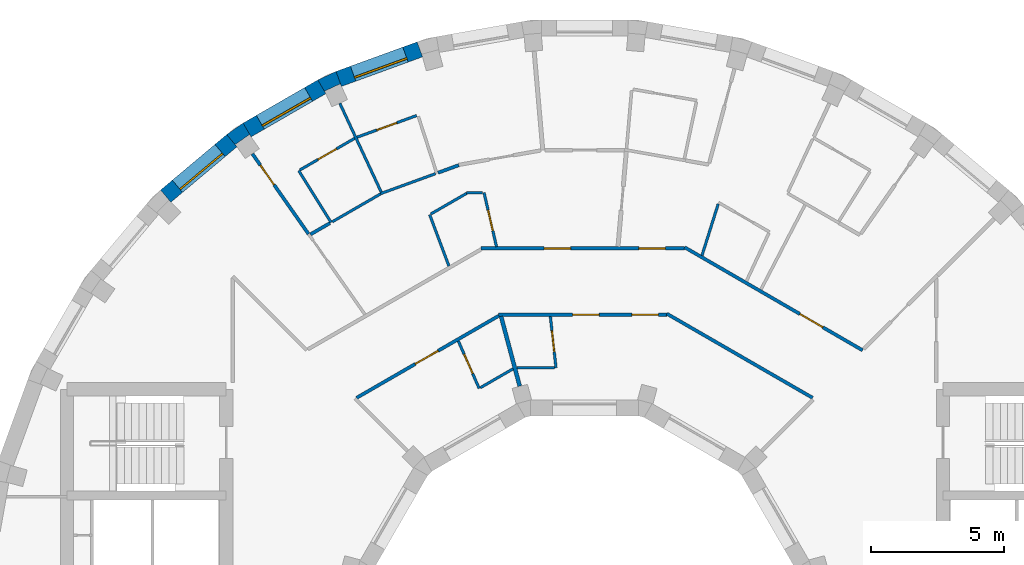
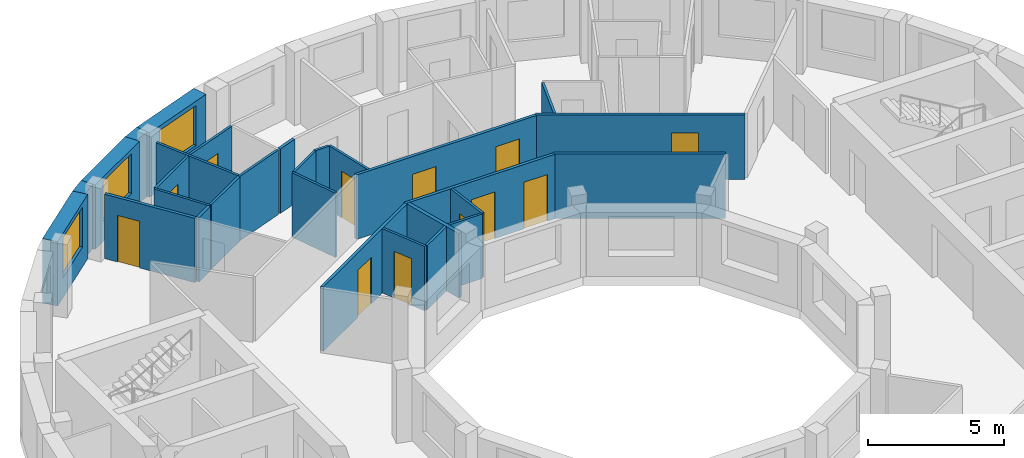
# One storey, part 9 of 12: 29 walls, 12 doors, 3 windows, 15 openings.
"""IFC4 building model written with IfcOpenShell, lengths in metres."""

from ifc_helpers import new_model, si_unit, direction, frame, frame_2d, origin, place, context, subcontext, project, spatial, polyline, rectangle, outline, extrude, material, layer, layer_set, type_object, element, fill, save


model = new_model("IFC4")

# Units and contexts
model_context = context("Model", 3, precision=1e-05, world=origin(), true_north=direction((0.0, 1.0)))
body_context = subcontext(model_context, "Body", "Model", "MODEL_VIEW")
ifc_project = project(units=[si_unit("LENGTHUNIT", "METRE"), si_unit("AREAUNIT", "SQUARE_METRE"), si_unit("VOLUMEUNIT", "CUBIC_METRE"), si_unit("PLANEANGLEUNIT", "RADIAN"), si_unit("MASSUNIT", "GRAM", prefix="KILO")], contexts=[model_context])

# Site, building, storey
site_placement = place(None, origin())
site = spatial("IfcSite", under=ifc_project, at=site_placement, CompositionType="ELEMENT")
building_placement = place(site_placement, origin())
building = spatial("IfcBuilding", under=site, at=building_placement, Name="Saqina Gate Tower", CompositionType="ELEMENT")
storey_placement = place(building_placement, frame((0.0, 0.0, 259.39990234375)))
storey = spatial("IfcBuildingStorey", under=building, at=storey_placement, Name="L74", CompositionType="ELEMENT", Elevation=259.39990234375)

# Walls
ifc_material_1 = material(Name="Brick masonry (buff)", Category="masonry")
wall_type_1 = type_object("IfcWallType", Name="BRICK PIER COPING BUFF", PredefinedType="SOLIDWALL", material=ifc_material_1)
wall_1_placement = place(storey_placement, origin())
element("IfcWall", 1, at=wall_1_placement, inside=storey, type_object=wall_type_1, Name="Pier cap L74 column 12", PredefinedType="SOLIDWALL", context=body_context, shape_type="SweptSolid", body=[
    extrude(outline(polyline([(-9.3642578125, 20.974609375), (-10.048095703125, 20.65576171875), (-9.748291015625, 20.135986328125), (-9.79296875, 20.23193359375), (-9.203857421875, 20.506591796875), (-9.1591796875, 20.410888671875), (-9.3642578125, 20.974609375)])), origin(), (0.0, 0.0, 1.0), 2.900146484375),
])
wall_2_placement = place(storey_placement, origin())
element("IfcWall", 2, at=wall_2_placement, inside=storey, type_object=wall_type_1, Name="Pier cap L74 column 13", PredefinedType="SOLIDWALL", context=body_context, shape_type="SweptSolid", body=[
    extrude(outline(polyline([(-12.8642578125, 19.02978515625), (-13.482421875, 18.59716796875), (-13.0966796875, 18.137451171875), (-13.157470703125, 18.22412109375), (-12.625, 18.596923828125), (-12.564208984375, 18.51025390625), (-12.8642578125, 19.02978515625)])), origin(), (0.0, 0.0, 1.0), 2.900146484375),
])

# Wall, opening, window
ifc_material_2 = material(Name="Brick masonry (buff)", Category="masonry")
ifc_layer_1 = layer(ifc_material_2, 0.60009765625)
ifc_layer_set_1 = layer_set([ifc_layer_1], Name="FW-BRICK-BUFF")
wall_type_2 = type_object("IfcWallType", Name="FW-BRICK-BUFF", PredefinedType="SOLIDWALL", material=ifc_layer_set_1)
wall_3_placement = place(storey_placement, frame((-6.2060546875, 21.804931640625, 0.0), z_axis=(0.0, 0.0, 1.0), x_axis=(-0.939679383794, -0.342056509473, 0.0)))
wall_3 = element("IfcWall", 3, at=wall_3_placement, inside=storey, type_object=wall_type_2, Name="Facade wall L74 facet 11", PredefinedType="SOLIDWALL", context=body_context, shape_type="SweptSolid", body=[
    extrude(rectangle(XDim=3.251708984375, YDim=0.60009765625, at=frame_2d((1.6259765625, 0.0))), origin(), (0.0, 0.0, 1.0), 2.900146484375),
])
opening_1_placement = place(wall_3_placement, frame((0.57568359375, 0.0, 0.89990234375)))
opening_1 = element("IfcOpeningElement", 4, at=opening_1_placement, cuts=wall_3, Name="Opening G22-W09", PredefinedType="OPENING", context=body_context, shape_type="SweptSolid", body=[
    extrude(rectangle(XDim=2.10009765625, YDim=1.800048828125, at=frame_2d((1.050048828125, 0.89990234375))), frame((0.0, 0.31201171875, 0.0), z_axis=(0.0, -1.0, 0.0), x_axis=(1.0, 0.0, 0.0)), (0.0, 0.0, 1.0), 0.6240234375),
])
ifc_material_3 = material(Name="Aluminium glazing", Category="aluminium")
window_type = type_object("IfcWindowType", Name="WN-D", PartitioningType="SINGLE_PANEL", PredefinedType="WINDOW", material=ifc_material_3)
window_1_placement = place(opening_1_placement, origin())
window_1 = element("IfcWindow", 5, at=window_1_placement, inside=storey, type_object=window_type, Name="Window L74 facet 11", OverallHeight=1.800048828125, OverallWidth=2.10009765625, PartitioningType="SINGLE_PANEL", PredefinedType="WINDOW", context=body_context, shape_type="SweptSolid", body=[
    extrude(rectangle(XDim=2.10009765625, YDim=1.800048828125, at=frame_2d((1.050048828125, 0.89990234375))), frame((0.0, 0.179931640625, 0.0), z_axis=(0.0, -1.0, 0.0), x_axis=(1.0, 0.0, 0.0)), (0.0, 0.0, 1.0), 0.06005859375),
])
fill(opening_1, window_1)

wall_4_placement = place(storey_placement, frame((-9.898193359375, 20.39599609375, 0.0), z_axis=(0.0, 0.0, 1.0), x_axis=(-0.866016800201, -0.500014901547, 0.0)))
wall_4 = element("IfcWall", 6, at=wall_4_placement, inside=storey, type_object=wall_type_2, Name="Facade wall L74 facet 12", PredefinedType="SOLIDWALL", context=body_context, shape_type="SweptSolid", body=[
    extrude(rectangle(XDim=3.251953125, YDim=0.60009765625, at=frame_2d((1.6259765625, 0.0))), origin(), (0.0, 0.0, 1.0), 2.900146484375),
])
opening_2_placement = place(wall_4_placement, frame((0.57568359375, 0.0, 0.89990234375)))
opening_2 = element("IfcOpeningElement", 7, at=opening_2_placement, cuts=wall_4, Name="Opening G22-W10", PredefinedType="OPENING", context=body_context, shape_type="SweptSolid", body=[
    extrude(rectangle(XDim=2.10009765625, YDim=1.800048828125, at=frame_2d((1.050048828125, 0.89990234375))), frame((0.0, 0.31201171875, 0.0), z_axis=(0.0, -1.0, 0.0), x_axis=(1.0, 0.0, 0.0)), (0.0, 0.0, 1.0), 0.6240234375),
])
window_2_placement = place(opening_2_placement, origin())
window_2 = element("IfcWindow", 8, at=window_2_placement, inside=storey, type_object=window_type, Name="Window L74 facet 12", OverallHeight=1.800048828125, OverallWidth=2.10009765625, PartitioningType="SINGLE_PANEL", PredefinedType="WINDOW", context=body_context, shape_type="SweptSolid", body=[
    extrude(rectangle(XDim=2.10009765625, YDim=1.800048828125, at=frame_2d((1.050048828125, 0.89990234375))), frame((0.0, 0.179931640625, 0.0), z_axis=(0.0, -1.0, 0.0), x_axis=(1.0, 0.0, 0.0)), (0.0, 0.0, 1.0), 0.06005859375),
])
fill(opening_2, window_2)

wall_5_placement = place(storey_placement, frame((-13.28955078125, 18.3671875, 0.0), z_axis=(0.0, 0.0, 1.0), x_axis=(-0.766056773982, -0.64277291405, 0.0)))
wall_5 = element("IfcWall", 9, at=wall_5_placement, inside=storey, type_object=wall_type_2, Name="Facade wall L74 facet 13", PredefinedType="SOLIDWALL", context=body_context, shape_type="SweptSolid", body=[
    extrude(rectangle(XDim=3.251708984375, YDim=0.60009765625, at=frame_2d((1.6259765625, 0.0))), origin(), (0.0, 0.0, 1.0), 2.900146484375),
])
opening_3_placement = place(wall_5_placement, frame((0.57568359375, 0.0, 0.89990234375)))
opening_3 = element("IfcOpeningElement", 10, at=opening_3_placement, cuts=wall_5, Name="Opening G22-W11", PredefinedType="OPENING", context=body_context, shape_type="SweptSolid", body=[
    extrude(rectangle(XDim=2.10009765625, YDim=1.800048828125, at=frame_2d((1.050048828125, 0.89990234375))), frame((0.0, 0.31201171875, 0.0), z_axis=(0.0, -1.0, 0.0), x_axis=(1.0, 0.0, 0.0)), (0.0, 0.0, 1.0), 0.6240234375),
])
window_3_placement = place(opening_3_placement, origin())
window_3 = element("IfcWindow", 11, at=window_3_placement, inside=storey, type_object=window_type, Name="Window L74 facet 13", OverallHeight=1.800048828125, OverallWidth=2.10009765625, PartitioningType="SINGLE_PANEL", PredefinedType="WINDOW", context=body_context, shape_type="SweptSolid", body=[
    extrude(rectangle(XDim=2.10009765625, YDim=1.800048828125, at=frame_2d((1.050048828125, 0.89990234375))), frame((0.0, 0.179931640625, 0.0), z_axis=(0.0, -1.0, 0.0), x_axis=(1.0, 0.0, 0.0)), (0.0, 0.0, 1.0), 0.06005859375),
])
fill(opening_3, window_3)

# Wall, opening, door
ifc_material_4 = material(Name="Gypsum board on steel studs, 100 mm", Category="steel")
ifc_layer_2 = layer(ifc_material_4, 0.10009765625)
ifc_layer_set_2 = layer_set([ifc_layer_2], Name="PARTITION 100")
wall_type_3 = type_object("IfcWallType", Name="PARTITION 100", PredefinedType="PARTITIONING", material=ifc_layer_set_2)
wall_6_placement = place(storey_placement, frame((-1.290283203125, 11.747802734375, 0.0), z_axis=(0.0, 0.0, 1.0), x_axis=(0.109455554722, -0.993991690881, 0.0)))
wall_6 = element("IfcWall", 12, at=wall_6_placement, inside=storey, type_object=wall_type_3, Name="PARTITION PW3-03", PredefinedType="PARTITIONING", context=body_context, shape_type="SweptSolid", body=[
    extrude(rectangle(XDim=1.949462890625, YDim=0.10009765625, at=frame_2d((0.974609375, 0.0))), origin(), (0.0, 0.0, 1.0), 2.900146484375),
])
opening_4_placement = place(wall_6_placement, frame((0.54345703125, 0.0, 0.0)))
opening_4 = element("IfcOpeningElement", 13, at=opening_4_placement, cuts=wall_6, Name="Opening G22-D15", PredefinedType="OPENING", context=body_context, shape_type="SweptSolid", body=[
    extrude(rectangle(XDim=0.800048828125, YDim=2.10009765625, at=frame_2d((0.39990234375, 1.050048828125))), frame((0.0, 0.06201171875, 0.0), z_axis=(0.0, -1.0, 0.0), x_axis=(1.0, 0.0, 0.0)), (0.0, 0.0, 1.0), 0.1240234375),
])
ifc_material_5 = material(Name="Timber door leaf, 800 mm", Category="wood")
door_type_1 = type_object("IfcDoorType", Name="DOOR 800 TIMBER", OperationType="SINGLE_SWING_LEFT", PredefinedType="DOOR", material=ifc_material_5)
door_1_placement = place(opening_4_placement, origin())
door_1 = element("IfcDoor", 14, at=door_1_placement, inside=storey, type_object=door_type_1, Name="DOOR G22-D15", OperationType="SINGLE_SWING_LEFT", OverallHeight=2.10009765625, OverallWidth=0.800048828125, PredefinedType="DOOR", context=body_context, shape_type="SweptSolid", body=[
    extrude(rectangle(XDim=0.800048828125, YDim=2.10009765625, at=frame_2d((0.39990234375, 1.050048828125))), frame((0.0, 0.02490234375, 0.0), z_axis=(0.0, -1.0, 0.0), x_axis=(1.0, 0.0, 0.0)), (0.0, 0.0, 1.0), 0.050048828125),
])
fill(opening_4, door_1)

wall_7_placement = place(storey_placement, frame((-3.7890625, 16.409912109375, 0.0), z_axis=(0.0, 0.0, 1.0), x_axis=(0.22503842629, -0.974349889256, 0.0)))
wall_7 = element("IfcWall", 15, at=wall_7_placement, inside=storey, type_object=wall_type_3, Name="PARTITION PW3-06", PredefinedType="PARTITIONING", context=body_context, shape_type="SweptSolid", body=[
    extrude(rectangle(XDim=2.0927734375, YDim=0.10009765625, at=frame_2d((1.04638671875, 0.0))), origin(), (0.0, 0.0, 1.0), 2.900146484375),
])
opening_5_placement = place(wall_7_placement, frame((0.677490234375, 0.0, 0.0)))
opening_5 = element("IfcOpeningElement", 16, at=opening_5_placement, cuts=wall_7, Name="Opening G22-D17", PredefinedType="OPENING", context=body_context, shape_type="SweptSolid", body=[
    extrude(rectangle(XDim=0.800048828125, YDim=2.10009765625, at=frame_2d((0.39990234375, 1.050048828125))), frame((0.0, 0.06201171875, 0.0), z_axis=(0.0, -1.0, 0.0), x_axis=(1.0, 0.0, 0.0)), (0.0, 0.0, 1.0), 0.1240234375),
])
door_2_placement = place(opening_5_placement, origin())
door_2 = element("IfcDoor", 17, at=door_2_placement, inside=storey, type_object=door_type_1, Name="DOOR G22-D17", OperationType="SINGLE_SWING_RIGHT", OverallHeight=2.10009765625, OverallWidth=0.800048828125, PredefinedType="DOOR", context=body_context, shape_type="SweptSolid", body=[
    extrude(rectangle(XDim=0.800048828125, YDim=2.10009765625, at=frame_2d((0.39990234375, 1.050048828125))), frame((0.0, 0.02490234375, 0.0), z_axis=(0.0, -1.0, 0.0), x_axis=(1.0, 0.0, 0.0)), (0.0, 0.0, 1.0), 0.050048828125),
])
fill(opening_5, door_2)

# Wall
wall_8_placement = place(storey_placement, frame((-5.8359375, 15.5791015625, 0.0), z_axis=(0.0, 0.0, 1.0), x_axis=(0.350786772872, -0.936455359309, 0.0)))
element("IfcWall", 18, at=wall_8_placement, inside=storey, type_object=wall_type_3, Name="PARTITION PW3-08", PredefinedType="PARTITIONING", context=body_context, shape_type="SweptSolid", body=[
    extrude(rectangle(XDim=2.06640625, YDim=0.10009765625, at=frame_2d((1.033203125, 0.0))), origin(), (0.0, 0.0, 1.0), 2.900146484375),
])

# Wall, opening, door
wall_9_placement = place(storey_placement, frame((-4.7568359375, 10.81884765625, 0.0), z_axis=(0.0, 0.0, 1.0), x_axis=(0.402545589402, -0.915399939072, 0.0)))
wall_9 = element("IfcWall", 19, at=wall_9_placement, inside=storey, type_object=wall_type_3, Name="PARTITION PW3-09", PredefinedType="PARTITIONING", context=body_context, shape_type="SweptSolid", body=[
    extrude(rectangle(XDim=1.949951171875, YDim=0.10009765625, at=frame_2d((0.97509765625, 0.0))), origin(), (0.0, 0.0, 1.0), 2.900146484375),
])
opening_6_placement = place(wall_9_placement, frame((0.543701171875, 0.0, 0.0)))
opening_6 = element("IfcOpeningElement", 20, at=opening_6_placement, cuts=wall_9, Name="Opening G22-D19", PredefinedType="OPENING", context=body_context, shape_type="SweptSolid", body=[
    extrude(rectangle(XDim=0.800048828125, YDim=2.10009765625, at=frame_2d((0.39990234375, 1.050048828125))), frame((0.0, 0.06201171875, 0.0), z_axis=(0.0, -1.0, 0.0), x_axis=(1.0, 0.0, 0.0)), (0.0, 0.0, 1.0), 0.1240234375),
])
door_3_placement = place(opening_6_placement, frame((0.800048828125, 0.0, 0.0), z_axis=(0.0, 0.0, 1.0), x_axis=(-1.0, 0.0, 0.0)))
door_3 = element("IfcDoor", 21, at=door_3_placement, inside=storey, type_object=door_type_1, Name="DOOR G22-D19", OperationType="SINGLE_SWING_RIGHT", OverallHeight=2.10009765625, OverallWidth=0.800048828125, PredefinedType="DOOR", context=body_context, shape_type="SweptSolid", body=[
    extrude(rectangle(XDim=0.800048828125, YDim=2.10009765625, at=frame_2d((0.39990234375, 1.050048828125))), frame((0.0, 0.02490234375, 0.0), z_axis=(0.0, -1.0, 0.0), x_axis=(1.0, 0.0, 0.0)), (0.0, 0.0, 1.0), 0.050048828125),
])
fill(opening_6, door_3)

# Walls
wall_10_placement = place(storey_placement, frame((-9.2197265625, 19.77099609375, 0.0), z_axis=(0.0, 0.0, 1.0), x_axis=(0.422606093897, -0.906313460896, 0.0)))
element("IfcWall", 22, at=wall_10_placement, inside=storey, type_object=wall_type_3, Name="PARTITION PW3-11", PredefinedType="PARTITIONING", context=body_context, shape_type="SweptSolid", body=[
    extrude(rectangle(XDim=3.68408203125, YDim=0.10009765625, at=frame_2d((1.842041015625, 0.0))), origin(), (0.0, 0.0, 1.0), 2.900146484375),
])
wall_11_placement = place(storey_placement, frame((-10.77001953125, 17.237060546875, 0.0), z_axis=(0.0, 0.0, 1.0), x_axis=(0.529960807047, -0.848022135911, 0.0)))
element("IfcWall", 23, at=wall_11_placement, inside=storey, type_object=wall_type_3, Name="PARTITION PW3-12", PredefinedType="PARTITIONING", context=body_context, shape_type="SweptSolid", body=[
    extrude(rectangle(XDim=2.302001953125, YDim=0.10009765625, at=frame_2d((1.15087890625, 0.0))), origin(), (0.0, 0.0, 1.0), 2.900146484375),
])
wall_12_placement = place(storey_placement, frame((-2.553955078125, 9.81005859375, 0.0), z_axis=(0.0, 0.0, 1.0), x_axis=(1.0, 0.0, 0.0)))
element("IfcWall", 24, at=wall_12_placement, inside=storey, type_object=wall_type_3, Name="PARTITION PW3-29", PredefinedType="PARTITIONING", context=body_context, shape_type="SweptSolid", body=[
    extrude(rectangle(XDim=1.427001953125, YDim=0.10009765625, at=frame_2d((0.71337890625, 0.0))), origin(), (0.0, 0.0, 1.0), 2.900146484375),
])
wall_13_placement = place(storey_placement, frame((-4.454833984375, 16.409912109375, 0.0), z_axis=(0.0, 0.0, 1.0), x_axis=(1.0, 0.0, 0.0)))
element("IfcWall", 25, at=wall_13_placement, inside=storey, type_object=wall_type_3, Name="PARTITION PW3-30", PredefinedType="PARTITIONING", context=body_context, shape_type="SweptSolid", body=[
    extrude(rectangle(XDim=0.61572265625, YDim=0.10009765625, at=frame_2d((0.307861328125, 0.0))), origin(), (0.0, 0.0, 1.0), 2.900146484375),
])
wall_14_placement = place(storey_placement, frame((-7.688720703125, 16.36962890625, 0.0), z_axis=(0.0, 0.0, 1.0), x_axis=(0.939680214162, 0.342054228323, 0.0)))
element("IfcWall", 26, at=wall_14_placement, inside=storey, type_object=wall_type_3, Name="PARTITION PW3-33", PredefinedType="PARTITIONING", context=body_context, shape_type="SweptSolid", body=[
    extrude(rectangle(XDim=2.204833984375, YDim=0.10009765625, at=frame_2d((1.1025390625, 0.0))), origin(), (0.0, 0.0, 1.0), 2.900146484375),
])

# Wall, opening, door
wall_15_placement = place(storey_placement, frame((-8.570068359375, 18.4970703125, 0.0), z_axis=(0.0, 0.0, 1.0), x_axis=(0.939715724906, 0.341956658606, 0.0)))
wall_15 = element("IfcWall", 27, at=wall_15_placement, inside=storey, type_object=wall_type_3, Name="PARTITION PW3-34", PredefinedType="PARTITIONING", context=body_context, shape_type="SweptSolid", body=[
    extrude(rectangle(XDim=2.385986328125, YDim=0.10009765625, at=frame_2d((1.19287109375, 0.0))), origin(), (0.0, 0.0, 1.0), 2.900146484375),
])
opening_7_placement = place(wall_15_placement, frame((0.792236328125, 0.0, 0.0)))
opening_7 = element("IfcOpeningElement", 28, at=opening_7_placement, cuts=wall_15, Name="Opening G22-D18", PredefinedType="OPENING", context=body_context, shape_type="SweptSolid", body=[
    extrude(rectangle(XDim=0.800048828125, YDim=2.10009765625, at=frame_2d((0.39990234375, 1.050048828125))), frame((0.0, 0.06201171875, 0.0), z_axis=(0.0, -1.0, 0.0), x_axis=(1.0, 0.0, 0.0)), (0.0, 0.0, 1.0), 0.1240234375),
])
door_4_placement = place(opening_7_placement, origin())
door_4 = element("IfcDoor", 29, at=door_4_placement, inside=storey, type_object=door_type_1, Name="DOOR G22-D18", OperationType="SINGLE_SWING_LEFT", OverallHeight=2.10009765625, OverallWidth=0.800048828125, PredefinedType="DOOR", context=body_context, shape_type="SweptSolid", body=[
    extrude(rectangle(XDim=0.800048828125, YDim=2.10009765625, at=frame_2d((0.39990234375, 1.050048828125))), frame((0.0, 0.02490234375, 0.0), z_axis=(0.0, -1.0, 0.0), x_axis=(1.0, 0.0, 0.0)), (0.0, 0.0, 1.0), 0.050048828125),
])
fill(opening_7, door_4)

# Walls
wall_16_placement = place(storey_placement, frame((-3.9287109375, 9.05908203125, 0.0), z_axis=(0.0, 0.0, 1.0), x_axis=(0.865894734208, 0.500226258078, 0.0)))
element("IfcWall", 30, at=wall_16_placement, inside=storey, type_object=wall_type_3, Name="PARTITION PW3-35", PredefinedType="PARTITIONING", context=body_context, shape_type="SweptSolid", body=[
    extrude(rectangle(XDim=1.426025390625, YDim=0.10009765625, at=frame_2d((0.712890625, 0.0))), origin(), (0.0, 0.0, 1.0), 2.900146484375),
])
wall_17_placement = place(storey_placement, frame((-5.792724609375, 15.60400390625, 0.0), z_axis=(0.0, 0.0, 1.0), x_axis=(0.865992945458, 0.500056215256, 0.0)))
element("IfcWall", 31, at=wall_17_placement, inside=storey, type_object=wall_type_3, Name="PARTITION PW3-36", PredefinedType="PARTITIONING", context=body_context, shape_type="SweptSolid", body=[
    extrude(rectangle(XDim=1.561767578125, YDim=0.10009765625, at=frame_2d((0.78076171875, 0.0))), origin(), (0.0, 0.0, 1.0), 2.900146484375),
])
wall_18_placement = place(storey_placement, frame((-9.506591796875, 15.31005859375, 0.0), z_axis=(0.0, 0.0, 1.0), x_axis=(0.86604260665, 0.49997020258, 0.0)))
element("IfcWall", 32, at=wall_18_placement, inside=storey, type_object=wall_type_3, Name="PARTITION PW3-37", PredefinedType="PARTITIONING", context=body_context, shape_type="SweptSolid", body=[
    extrude(rectangle(XDim=2.104248046875, YDim=0.10009765625, at=frame_2d((1.05224609375, 0.0))), origin(), (0.0, 0.0, 1.0), 2.900146484375),
])

# Wall, opening, door
wall_19_placement = place(storey_placement, frame((-10.726806640625, 17.261962890625, 0.0), z_axis=(0.0, 0.0, 1.0), x_axis=(0.866011787705, 0.500023583, 0.0)))
wall_19 = element("IfcWall", 33, at=wall_19_placement, inside=storey, type_object=wall_type_3, Name="PARTITION PW3-38", PredefinedType="PARTITIONING", context=body_context, shape_type="SweptSolid", body=[
    extrude(rectangle(XDim=2.38623046875, YDim=0.10009765625, at=frame_2d((1.193115234375, 0.0))), origin(), (0.0, 0.0, 1.0), 2.900146484375),
])
opening_8_placement = place(wall_19_placement, frame((0.79296875, 0.0, 0.0)))
opening_8 = element("IfcOpeningElement", 34, at=opening_8_placement, cuts=wall_19, Name="Opening G22-D20", PredefinedType="OPENING", context=body_context, shape_type="SweptSolid", body=[
    extrude(rectangle(XDim=0.800048828125, YDim=2.10009765625, at=frame_2d((0.39990234375, 1.050048828125))), frame((0.0, 0.06201171875, 0.0), z_axis=(0.0, -1.0, 0.0), x_axis=(1.0, 0.0, 0.0)), (0.0, 0.0, 1.0), 0.1240234375),
])
door_5_placement = place(opening_8_placement, origin())
door_5 = element("IfcDoor", 35, at=door_5_placement, inside=storey, type_object=door_type_1, Name="DOOR G22-D20", OperationType="SINGLE_SWING_LEFT", OverallHeight=2.10009765625, OverallWidth=0.800048828125, PredefinedType="DOOR", context=body_context, shape_type="SweptSolid", body=[
    extrude(rectangle(XDim=0.800048828125, YDim=2.10009765625, at=frame_2d((0.39990234375, 1.050048828125))), frame((0.0, 0.02490234375, 0.0), z_axis=(0.0, -1.0, 0.0), x_axis=(1.0, 0.0, 0.0)), (0.0, 0.0, 1.0), 0.050048828125),
])
fill(opening_8, door_5)

# Wall
wall_20_placement = place(storey_placement, frame((4.421875, 14.04150390625, 0.0), z_axis=(0.0, 0.0, 1.0), x_axis=(0.300390936016, 0.953816169689, 0.0)))
element("IfcWall", 36, at=wall_20_placement, inside=storey, type_object=wall_type_3, Name="PARTITION PW3-48", PredefinedType="PARTITIONING", context=body_context, shape_type="SweptSolid", body=[
    extrude(rectangle(XDim=2.035888671875, YDim=0.10009765625, at=frame_2d((1.01806640625, 0.0))), origin(), (0.0, 0.0, 1.0), 2.900146484375),
])

# Wall, opening, door
ifc_material_6 = material(Name="Gypsum board on steel studs, 125 mm, fire rated", Category="steel")
ifc_layer_3 = layer(ifc_material_6, 0.125)
ifc_layer_set_3 = layer_set([ifc_layer_3], Name="PARTITION EI 30 125")
wall_type_4 = type_object("IfcWallType", Name="PARTITION EI 30 125", PredefinedType="PARTITIONING", material=ifc_layer_set_3)
wall_21_placement = place(storey_placement, frame((-12.5126953125, 17.86962890625, 0.0), z_axis=(0.0, 0.0, 1.0), x_axis=(0.573564635471, -0.819160307228, 0.0)))
wall_21 = element("IfcWall", 37, at=wall_21_placement, inside=storey, type_object=wall_type_4, Name="PARTITION PW1-03", PredefinedType="PARTITIONING", context=body_context, shape_type="SweptSolid", body=[
    extrude(rectangle(XDim=3.68408203125, YDim=0.125, at=frame_2d((1.842041015625, 0.0))), origin(), (0.0, 0.0, 1.0), 2.900146484375),
])
opening_9_placement = place(wall_21_placement, frame((0.525634765625, 0.0, 0.0)))
opening_9 = element("IfcOpeningElement", 38, at=opening_9_placement, cuts=wall_21, Name="Opening G22-D23", PredefinedType="OPENING", context=body_context, shape_type="SweptSolid", body=[
    extrude(rectangle(XDim=0.89990234375, YDim=2.10009765625, at=frame_2d((0.449951171875, 1.050048828125))), frame((0.0, 0.074462890625, 0.0), z_axis=(0.0, -1.0, 0.0), x_axis=(1.0, 0.0, 0.0)), (0.0, 0.0, 1.0), 0.14892578125),
])
ifc_material_7 = material(Name="Fire door leaf EI 30, 900 mm")
door_type_2 = type_object("IfcDoorType", Name="DOOR 900 EI 30", OperationType="SINGLE_SWING_LEFT", PredefinedType="DOOR", material=ifc_material_7)
door_6_placement = place(opening_9_placement, frame((0.89990234375, 0.0, 0.0), z_axis=(0.0, 0.0, 1.0), x_axis=(-1.0, 0.0, 0.0)))
door_6 = element("IfcDoor", 39, at=door_6_placement, inside=storey, type_object=door_type_2, Name="DOOR G22-D23", OperationType="SINGLE_SWING_RIGHT", OverallHeight=2.10009765625, OverallWidth=0.89990234375, PredefinedType="DOOR", context=body_context, shape_type="SweptSolid", body=[
    extrude(rectangle(XDim=0.89990234375, YDim=2.10009765625, at=frame_2d((0.449951171875, 1.050048828125))), frame((0.0, 0.02490234375, 0.0), z_axis=(0.0, -1.0, 0.0), x_axis=(1.0, 0.0, 0.0)), (0.0, 0.0, 1.0), 0.050048828125),
])
fill(opening_9, door_6)

wall_22_placement = place(storey_placement, frame((3.7705078125, 14.3486328125, 0.0), z_axis=(0.0, 0.0, 1.0), x_axis=(0.865490316698, -0.500925654865, 0.0)))
wall_22 = element("IfcWall", 40, at=wall_22_placement, inside=storey, type_object=wall_type_4, Name="PARTITION PW1-09", PredefinedType="PARTITIONING", context=body_context, shape_type="SweptSolid", body=[
    extrude(rectangle(XDim=7.743408203125, YDim=0.125, at=frame_2d((3.87158203125, 0.0))), origin(), (0.0, 0.0, 1.0), 2.900146484375),
])
opening_10_placement = place(wall_22_placement, frame((5.014892578125, 0.0, 0.0)))
opening_10 = element("IfcOpeningElement", 41, at=opening_10_placement, cuts=wall_22, Name="Opening G22-D03", PredefinedType="OPENING", context=body_context, shape_type="SweptSolid", body=[
    extrude(rectangle(XDim=1.0, YDim=2.10009765625, at=frame_2d((0.5, 1.050048828125))), frame((0.0, 0.074462890625, 0.0), z_axis=(0.0, -1.0, 0.0), x_axis=(1.0, 0.0, 0.0)), (0.0, 0.0, 1.0), 0.14892578125),
])
ifc_material_8 = material(Name="Fire door leaf EI 30, 1000 mm")
door_type_3 = type_object("IfcDoorType", Name="DOOR 1000 EI 30", OperationType="SINGLE_SWING_LEFT", PredefinedType="DOOR", material=ifc_material_8)
door_7_placement = place(opening_10_placement, origin())
door_7 = element("IfcDoor", 42, at=door_7_placement, inside=storey, type_object=door_type_3, Name="DOOR G22-D03", OperationType="SINGLE_SWING_RIGHT", OverallHeight=2.10009765625, OverallWidth=1.0, PredefinedType="DOOR", context=body_context, shape_type="SweptSolid", body=[
    extrude(rectangle(XDim=1.0, YDim=2.10009765625, at=frame_2d((0.5, 1.050048828125))), frame((0.0, 0.02490234375, 0.0), z_axis=(0.0, -1.0, 0.0), x_axis=(1.0, 0.0, 0.0)), (0.0, 0.0, 1.0), 0.050048828125),
])
fill(opening_10, door_7)

# Wall
wall_23_placement = place(storey_placement, frame((3.1015625, 11.84619140625, 0.0), z_axis=(0.0, 0.0, 1.0), x_axis=(0.866089359129, -0.499889209729, 0.0)))
element("IfcWall", 43, at=wall_23_placement, inside=storey, type_object=wall_type_4, Name="PARTITION PW1-13", PredefinedType="PARTITIONING", context=body_context, shape_type="SweptSolid", body=[
    extrude(rectangle(XDim=6.3369140625, YDim=0.125, at=frame_2d((3.16845703125, 0.0))), origin(), (0.0, 0.0, 1.0), 2.900146484375),
])

# Wall, openings, doors
wall_24_placement = place(storey_placement, frame((-3.25048828125, 11.81005859375, 0.0), z_axis=(0.0, 0.0, 1.0), x_axis=(1.0, 0.0, 0.0)))
wall_24 = element("IfcWall", 44, at=wall_24_placement, inside=storey, type_object=wall_type_4, Name="PARTITION PW1-19", PredefinedType="PARTITIONING", context=body_context, shape_type="SweptSolid", body=[
    extrude(rectangle(XDim=6.35205078125, YDim=0.125, at=frame_2d((3.176025390625, 0.0))), origin(), (0.0, 0.0, 1.0), 2.900146484375),
])
opening_11_placement = place(wall_24_placement, frame((5.031982421875, 0.0, 0.0)))
opening_11 = element("IfcOpeningElement", 45, at=opening_11_placement, cuts=wall_24, Name="Opening G22-D08", PredefinedType="OPENING", context=body_context, shape_type="SweptSolid", body=[
    extrude(rectangle(XDim=1.0, YDim=2.10009765625, at=frame_2d((0.5, 1.050048828125))), frame((0.0, 0.074462890625, 0.0), z_axis=(0.0, -1.0, 0.0), x_axis=(1.0, 0.0, 0.0)), (0.0, 0.0, 1.0), 0.14892578125),
])
opening_12_placement = place(wall_24_placement, frame((2.801025390625, 0.0, 0.0)))
opening_12 = element("IfcOpeningElement", 46, at=opening_12_placement, cuts=wall_24, Name="Opening G22-D12", PredefinedType="OPENING", context=body_context, shape_type="SweptSolid", body=[
    extrude(rectangle(XDim=1.0, YDim=2.10009765625, at=frame_2d((0.5, 1.050048828125))), frame((0.0, 0.074462890625, 0.0), z_axis=(0.0, -1.0, 0.0), x_axis=(1.0, 0.0, 0.0)), (0.0, 0.0, 1.0), 0.14892578125),
])
door_8_placement = place(opening_11_placement, frame((1.0, 0.0, 0.0), z_axis=(0.0, 0.0, 1.0), x_axis=(-1.0, 0.0, 0.0)))
door_8 = element("IfcDoor", 47, at=door_8_placement, inside=storey, type_object=door_type_3, Name="DOOR G22-D08", OperationType="SINGLE_SWING_LEFT", OverallHeight=2.10009765625, OverallWidth=1.0, PredefinedType="DOOR", context=body_context, shape_type="SweptSolid", body=[
    extrude(rectangle(XDim=1.0, YDim=2.10009765625, at=frame_2d((0.5, 1.050048828125))), frame((0.0, 0.02490234375, 0.0), z_axis=(0.0, -1.0, 0.0), x_axis=(1.0, 0.0, 0.0)), (0.0, 0.0, 1.0), 0.050048828125),
])
fill(opening_11, door_8)
door_9_placement = place(opening_12_placement, frame((1.0, 0.0, 0.0), z_axis=(0.0, 0.0, 1.0), x_axis=(-1.0, 0.0, 0.0)))
door_9 = element("IfcDoor", 48, at=door_9_placement, inside=storey, type_object=door_type_3, Name="DOOR G22-D12", OperationType="SINGLE_SWING_LEFT", OverallHeight=2.10009765625, OverallWidth=1.0, PredefinedType="DOOR", context=body_context, shape_type="SweptSolid", body=[
    extrude(rectangle(XDim=1.0, YDim=2.10009765625, at=frame_2d((0.5, 1.050048828125))), frame((0.0, 0.02490234375, 0.0), z_axis=(0.0, -1.0, 0.0), x_axis=(1.0, 0.0, 0.0)), (0.0, 0.0, 1.0), 0.050048828125),
])
fill(opening_12, door_9)

wall_25_placement = place(storey_placement, frame((-3.90625, 14.31005859375, 0.0), z_axis=(0.0, 0.0, 1.0), x_axis=(1.0, 0.0, 0.0)))
wall_25 = element("IfcWall", 49, at=wall_25_placement, inside=storey, type_object=wall_type_4, Name="PARTITION PW1-20", PredefinedType="PARTITIONING", context=body_context, shape_type="SweptSolid", body=[
    extrude(rectangle(XDim=7.6767578125, YDim=0.125, at=frame_2d((3.83837890625, 0.0))), origin(), (0.0, 0.0, 1.0), 2.900146484375),
])
opening_13_placement = place(wall_25_placement, frame((5.94921875, 0.0, 0.0)))
opening_13 = element("IfcOpeningElement", 50, at=opening_13_placement, cuts=wall_25, Name="Opening G22-D09", PredefinedType="OPENING", context=body_context, shape_type="SweptSolid", body=[
    extrude(rectangle(XDim=1.0, YDim=2.10009765625, at=frame_2d((0.5, 1.050048828125))), frame((0.0, 0.074462890625, 0.0), z_axis=(0.0, -1.0, 0.0), x_axis=(1.0, 0.0, 0.0)), (0.0, 0.0, 1.0), 0.14892578125),
])
opening_14_placement = place(wall_25_placement, frame((2.380126953125, 0.0, 0.0)))
opening_14 = element("IfcOpeningElement", 51, at=opening_14_placement, cuts=wall_25, Name="Opening G22-D14", PredefinedType="OPENING", context=body_context, shape_type="SweptSolid", body=[
    extrude(rectangle(XDim=1.0, YDim=2.10009765625, at=frame_2d((0.5, 1.050048828125))), frame((0.0, 0.074462890625, 0.0), z_axis=(0.0, -1.0, 0.0), x_axis=(1.0, 0.0, 0.0)), (0.0, 0.0, 1.0), 0.14892578125),
])
door_10_placement = place(opening_13_placement, origin())
door_10 = element("IfcDoor", 52, at=door_10_placement, inside=storey, type_object=door_type_3, Name="DOOR G22-D09", OperationType="SINGLE_SWING_RIGHT", OverallHeight=2.10009765625, OverallWidth=1.0, PredefinedType="DOOR", context=body_context, shape_type="SweptSolid", body=[
    extrude(rectangle(XDim=1.0, YDim=2.10009765625, at=frame_2d((0.5, 1.050048828125))), frame((0.0, 0.02490234375, 0.0), z_axis=(0.0, -1.0, 0.0), x_axis=(1.0, 0.0, 0.0)), (0.0, 0.0, 1.0), 0.050048828125),
])
fill(opening_13, door_10)
door_11_placement = place(opening_14_placement, origin())
door_11 = element("IfcDoor", 53, at=door_11_placement, inside=storey, type_object=door_type_3, Name="DOOR G22-D14", OperationType="SINGLE_SWING_LEFT", OverallHeight=2.10009765625, OverallWidth=1.0, PredefinedType="DOOR", context=body_context, shape_type="SweptSolid", body=[
    extrude(rectangle(XDim=1.0, YDim=2.10009765625, at=frame_2d((0.5, 1.050048828125))), frame((0.0, 0.02490234375, 0.0), z_axis=(0.0, -1.0, 0.0), x_axis=(1.0, 0.0, 0.0)), (0.0, 0.0, 1.0), 0.050048828125),
])
fill(opening_14, door_11)

# Wall
wall_26_placement = place(storey_placement, frame((-5.52294921875, 17.158203125, 0.0), z_axis=(0.0, 0.0, 1.0), x_axis=(0.939605379144, 0.342259742714, 0.0)))
element("IfcWall", 54, at=wall_26_placement, inside=storey, type_object=wall_type_4, Name="PARTITION PW1-24", PredefinedType="PARTITIONING", context=body_context, shape_type="SweptSolid", body=[
    extrude(rectangle(XDim=0.83447265625, YDim=0.125, at=frame_2d((0.417236328125, 0.0))), origin(), (0.0, 0.0, 1.0), 2.900146484375),
])

# Wall, opening, door
wall_27_placement = place(storey_placement, frame((-8.591796875, 8.67724609375, 0.0), z_axis=(0.0, 0.0, 1.0), x_axis=(0.866094986022, 0.499879460657, 0.0)))
wall_27 = element("IfcWall", 55, at=wall_27_placement, inside=storey, type_object=wall_type_4, Name="PARTITION PW1-27", PredefinedType="PARTITIONING", context=body_context, shape_type="SweptSolid", body=[
    extrude(rectangle(XDim=6.19189453125, YDim=0.125, at=frame_2d((3.095947265625, 0.0))), origin(), (0.0, 0.0, 1.0), 2.900146484375),
])
opening_15_placement = place(wall_27_placement, frame((2.551513671875, 0.0, 0.0)))
opening_15 = element("IfcOpeningElement", 56, at=opening_15_placement, cuts=wall_27, Name="Opening G22-D21", PredefinedType="OPENING", context=body_context, shape_type="SweptSolid", body=[
    extrude(rectangle(XDim=1.0, YDim=2.10009765625, at=frame_2d((0.5, 1.050048828125))), frame((0.0, 0.074462890625, 0.0), z_axis=(0.0, -1.0, 0.0), x_axis=(1.0, 0.0, 0.0)), (0.0, 0.0, 1.0), 0.14892578125),
])
door_12_placement = place(opening_15_placement, frame((1.0, 0.0, 0.0), z_axis=(0.0, 0.0, 1.0), x_axis=(-1.0, 0.0, 0.0)))
door_12 = element("IfcDoor", 57, at=door_12_placement, inside=storey, type_object=door_type_3, Name="DOOR G22-D21", OperationType="SINGLE_SWING_RIGHT", OverallHeight=2.10009765625, OverallWidth=1.0, PredefinedType="DOOR", context=body_context, shape_type="SweptSolid", body=[
    extrude(rectangle(XDim=1.0, YDim=2.10009765625, at=frame_2d((0.5, 1.050048828125))), frame((0.0, 0.02490234375, 0.0), z_axis=(0.0, -1.0, 0.0), x_axis=(1.0, 0.0, 0.0)), (0.0, 0.0, 1.0), 0.050048828125),
])
fill(opening_15, door_12)

# Walls
wall_28_placement = place(storey_placement, frame((-10.32568359375, 14.837158203125, 0.0), z_axis=(0.0, 0.0, 1.0), x_axis=(0.866031754707, 0.499988999718, 0.0)))
element("IfcWall", 58, at=wall_28_placement, inside=storey, type_object=wall_type_4, Name="PARTITION PW1-29", PredefinedType="PARTITIONING", context=body_context, shape_type="SweptSolid", body=[
    extrude(rectangle(XDim=0.845703125, YDim=0.125, at=frame_2d((0.4228515625, 0.0))), origin(), (0.0, 0.0, 1.0), 2.900146484375),
])
ifc_material_9 = material(Name="Gypsum board on steel studs, 150 mm, fire rated", Category="steel")
ifc_layer_4 = layer(ifc_material_9, 0.14990234375)
ifc_layer_set_4 = layer_set([ifc_layer_4], Name="PARTITION EI 60 150")
wall_type_5 = type_object("IfcWallType", Name="PARTITION EI 60 150", PredefinedType="PARTITIONING", material=ifc_layer_set_4)
wall_29_placement = place(storey_placement, frame((-3.147705078125, 11.749755859375, 0.0), z_axis=(0.0, 0.0, 1.0), x_axis=(0.258332538153, -0.966056054135, 0.0)))
element("IfcWall", 59, at=wall_29_placement, inside=storey, type_object=wall_type_5, Name="PARTITION PW2-02", PredefinedType="PARTITIONING", context=body_context, shape_type="SweptSolid", body=[
    extrude(rectangle(XDim=2.7216796875, YDim=0.14990234375, at=frame_2d((1.36083984375, 0.0))), origin(), (0.0, 0.0, 1.0), 2.900146484375),
])

save(model, "model.ifc")
